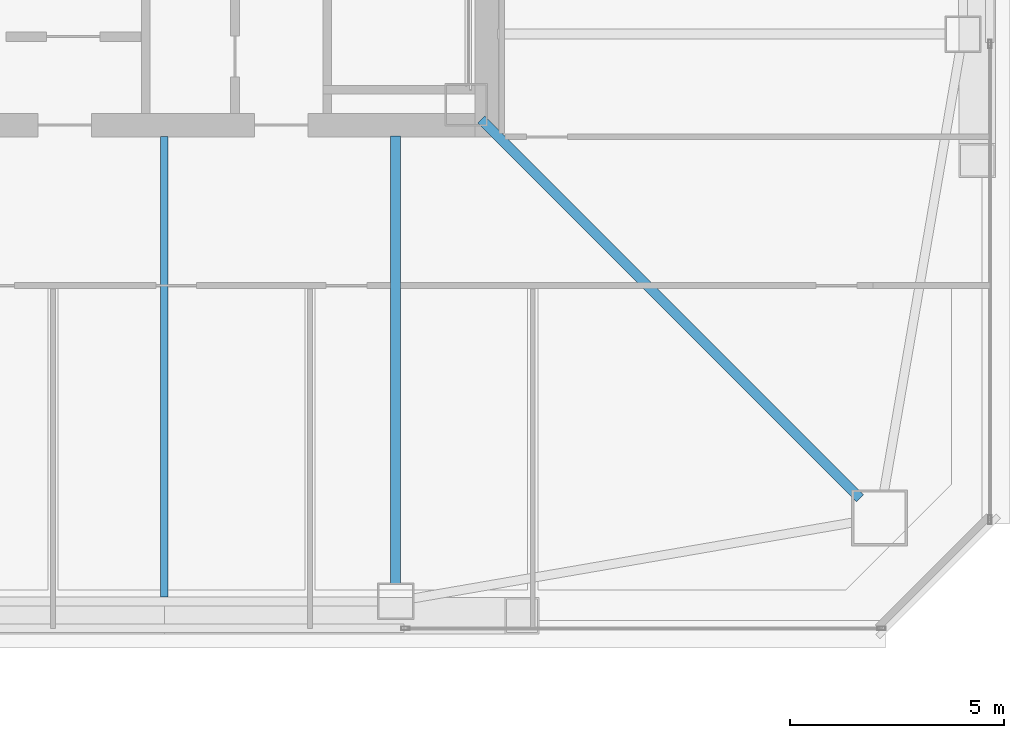
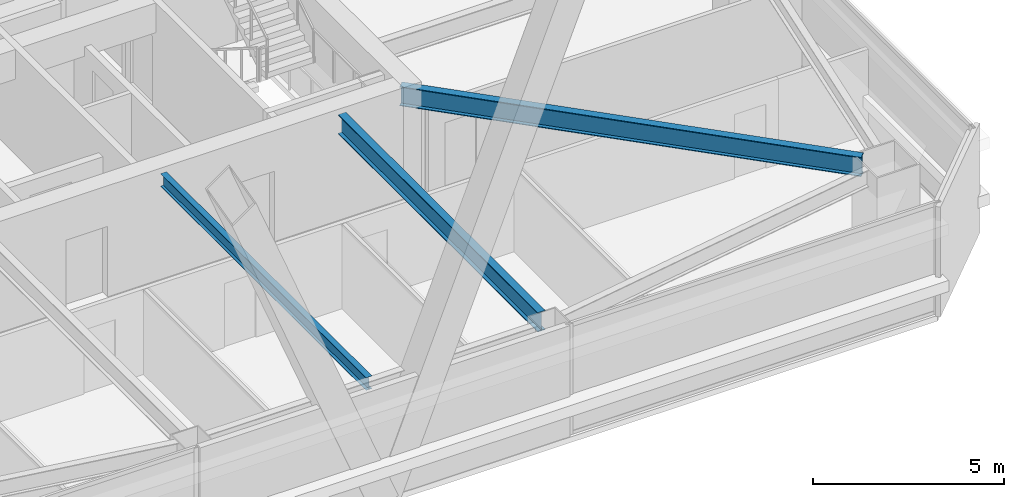
# One storey, part 6 of 50: 3 beams.
"""IFC4 building model written with IfcOpenShell, lengths in metres."""

import ifcopenshell
import ifcopenshell.guid

model = None  # the IFC model being written
_history = None  # IfcOwnerHistory: only IFC2X3 demands one
_inside = {}  # id of a spatial element -> (the spatial element, [elements in it])
_under = {}  # id of a project, library or spatial element -> (it, [spatial elements below it])
_declared = {}  # id of a project -> (the project, [libraries it declares])
_typed = {}  # id of a type object -> (the type object, [elements of that type])
_made_of = {}  # id of a material, layer set ... -> (it, [elements and type objects made of it])


def new_model(schema):
    """Start an empty IFC model of exactly this schema.

    Asked for "IFC4X3", IfcOpenShell would pick the latest addendum, in which some entities
    have other attributes; the version numbers below select the first issue.
    IFC2X3 requires an IfcOwnerHistory on every rooted entity: one is made here for all.
    """
    global model, _history
    if schema == "IFC4X3":
        model = ifcopenshell.file(schema_version=(4, 3, 0, 0))
    else:
        model = ifcopenshell.file(schema=schema)
    _inside.clear()
    _under.clear()
    _declared.clear()
    _typed.clear()
    _made_of.clear()
    _history = None
    if model.schema == "IFC2X3":
        org = make("IfcOrganization", Name="unknown")
        user = make(
            "IfcPersonAndOrganization",
            ThePerson=make("IfcPerson", FamilyName="unknown"),
            TheOrganization=org,
        )
        app = make(
            "IfcApplication",
            ApplicationDeveloper=org,
            Version="unknown",
            ApplicationFullName="unknown",
            ApplicationIdentifier="unknown",
        )
        _history = make(
            "IfcOwnerHistory",
            OwningUser=user,
            OwningApplication=app,
            ChangeAction="ADDED",
            CreationDate=0,
        )
    return model


def make(cls, **values):
    """One entity of the class cls with the attributes given. An attribute that is None is left unset."""
    return model.create_entity(
        cls, **{name: value for name, value in values.items() if value is not None}
    )


def rooted(cls, **values):
    """An entity with a GlobalId (a new one), such as an element, a storey or a relation."""
    return make(cls, GlobalId=ifcopenshell.guid.new(), OwnerHistory=_history, **values)


def si_unit(unit_type, name, prefix=None):
    """IfcSIUnit, for example si_unit("LENGTHUNIT", "METRE", prefix="MILLI")."""
    return make("IfcSIUnit", UnitType=unit_type, Prefix=prefix, Name=name)


def assignment(units):
    """IfcUnitAssignment: the units of a project."""
    return None if units is None else make("IfcUnitAssignment", Units=units)


def point(xyz):
    """IfcCartesianPoint."""
    return None if xyz is None else make("IfcCartesianPoint", Coordinates=xyz)


def direction(xyz):
    """IfcDirection."""
    return None if xyz is None else make("IfcDirection", DirectionRatios=xyz)


def frame(location, z_axis=None, x_axis=None):
    """IfcAxis2Placement3D, a coordinate frame: its origin and axes. An axis left out is left unset."""
    return make(
        "IfcAxis2Placement3D",
        Location=point(location),
        Axis=direction(z_axis),
        RefDirection=direction(x_axis),
    )


def frame_2d(location, x_axis=None):
    """IfcAxis2Placement2D, a coordinate frame in the plane: its origin and x axis."""
    return make(
        "IfcAxis2Placement2D", Location=point(location), RefDirection=direction(x_axis)
    )


def origin():
    """The frame at (0, 0, 0) with its axes left unset."""
    return frame((0.0, 0.0, 0.0))


def origin_2d():
    """The frame at (0, 0) in the plane with its x axis left unset."""
    return frame_2d((0.0, 0.0))


def place(relative_to, where):
    """IfcLocalPlacement: puts the frame where relative to a parent placement (None: the world)."""
    return make(
        "IfcLocalPlacement", PlacementRelTo=relative_to, RelativePlacement=where
    )


def context(
    kind, dimensions, precision=None, world=None, true_north=None, identifier=None
):
    """IfcGeometricRepresentationContext, for example the 3D "Model" context."""
    return make(
        "IfcGeometricRepresentationContext",
        ContextIdentifier=identifier,
        ContextType=kind,
        CoordinateSpaceDimension=dimensions,
        Precision=precision,
        WorldCoordinateSystem=world,
        TrueNorth=true_north,
    )


def subcontext(parent, identifier, kind, view, scale=None):
    """IfcGeometricRepresentationSubContext, for example "Body" below "Model"."""
    return make(
        "IfcGeometricRepresentationSubContext",
        ContextIdentifier=identifier,
        ContextType=kind,
        ParentContext=parent,
        TargetScale=scale,
        TargetView=view,
    )


def project(units=None, contexts=None):
    """IfcProject with its units and contexts."""
    return rooted(
        "IfcProject",
        Name="project",
        RepresentationContexts=contexts,
        UnitsInContext=assignment(units),
    )


def spatial(cls, under=None, at=None, **own):
    """A site, building, storey or space (cls), placed at a placement, below another one or the project."""
    s = rooted(cls, ObjectPlacement=at, **own)
    if under is not None:
        _under.setdefault(under.id(), (under, []))[1].append(s)
    return s


def profile(cls, at=None, kind="AREA", **sizes):
    """A parametric profile (cls). Its sizes go by their IFC names, for example OverallWidth=200.0."""
    return make(cls, ProfileType=kind, Position=at, **sizes)


def i_section(**sizes):
    """IfcIShapeProfileDef."""
    return profile("IfcIShapeProfileDef", **sizes)


def extrude(swept, where, along, depth):
    """IfcExtrudedAreaSolid: the profile swept, set in the frame where, extruded along a direction by depth."""
    return make(
        "IfcExtrudedAreaSolid",
        SweptArea=swept,
        Position=where,
        ExtrudedDirection=direction(along),
        Depth=depth,
    )


def shape(context_of_items, identifier, shape_type, items):
    """IfcShapeRepresentation: the items that make up one representation, for example the "Body"."""
    return make(
        "IfcShapeRepresentation",
        ContextOfItems=context_of_items,
        RepresentationIdentifier=identifier,
        RepresentationType=shape_type,
        Items=items,
    )


def material(Name=None, Category=None):
    """IfcMaterial."""
    return make("IfcMaterial", Name=Name, Category=Category)


def material_profile(
    of_material, cross_section, Name=None, Category=None, Priority=None
):
    """IfcMaterialProfile: a cross section and its material."""
    return make(
        "IfcMaterialProfile",
        Name=Name,
        Material=of_material,
        Profile=cross_section,
        Priority=Priority,
        Category=Category,
    )


def profile_set(profiles, Name=None, composite=None):
    """IfcMaterialProfileSet."""
    return make(
        "IfcMaterialProfileSet",
        Name=Name,
        MaterialProfiles=profiles,
        CompositeProfile=composite,
    )


def made_of(thing, what):
    """Note that an element or type object is made of a material, layer set ...; save() writes the relation."""
    if what is not None:
        _made_of.setdefault(what.id(), (what, []))[1].append(thing)
    return thing


def type_object(cls, material=None, **own):
    """A type object (cls), such as IfcWallType, which elements share."""
    return made_of(rooted(cls, **own), material)


def element(
    cls,
    number,
    at=None,
    inside=None,
    cuts=None,
    type_object=None,
    material=None,
    context=None,
    identifier="Body",
    shape_type=None,
    held_by="IfcProductDefinitionShape",
    body=None,
    shapes=None,
    **own,
):
    """One element of the class cls, such as IfcWall. Its Tag is "e" and its number.

    at: its placement. inside: the storey or other place that contains it. cuts: it is an
    opening in that element (IfcRelVoidsElement). A single representation is given by context,
    identifier, shape_type and body (its items); several are given by shapes. held_by: the class
    of the entity that holds the representations. save() writes the other relations.
    """
    e = rooted(cls, Tag="e%d" % number, ObjectPlacement=at, **own)
    if body is not None:
        shapes = [shape(context, identifier, shape_type, body)]
    if shapes is not None:
        e.Representation = make(held_by, Representations=shapes)
    if inside is not None:
        _inside.setdefault(inside.id(), (inside, []))[1].append(e)
    if cuts is not None:
        rooted(
            "IfcRelVoidsElement", RelatingBuildingElement=cuts, RelatedOpeningElement=e
        )
    if type_object is not None:
        _typed.setdefault(type_object.id(), (type_object, []))[1].append(e)
    return made_of(e, material)


def aggregate(whole, parts):
    """IfcRelAggregates: a whole, such as a stair, and the parts it consists of."""
    return rooted("IfcRelAggregates", RelatingObject=whole, RelatedObjects=parts)


def save(model, path):
    """Write the relations noted so far, then the file.

    IfcRelAggregates (storeys below a building ...), IfcRelContainedInSpatialStructure (elements
    in a storey), IfcRelDefinesByType, IfcRelAssociatesMaterial and IfcRelDeclares: one each for
    every whole, place, type object, material and project.
    """
    for whole, parts in _under.values():
        aggregate(whole, parts)
    for where, things in _inside.values():
        rooted(
            "IfcRelContainedInSpatialStructure",
            RelatedElements=things,
            RelatingStructure=where,
        )
    for kind, things in _typed.values():
        rooted("IfcRelDefinesByType", RelatedObjects=things, RelatingType=kind)
    for what, things in _made_of.values():
        rooted("IfcRelAssociatesMaterial", RelatedObjects=things, RelatingMaterial=what)
    for by, libraries in _declared.values():
        rooted("IfcRelDeclares", RelatingContext=by, RelatedDefinitions=libraries)
    model.write(path)


model = new_model("IFC4")

# Units and contexts
model_context = context("Model", 3, precision=1e-05, world=origin(), true_north=direction((0.0, 1.0)))
body_context = subcontext(model_context, "Body", "Model", "MODEL_VIEW")
ifc_project = project(units=[si_unit("LENGTHUNIT", "METRE"), si_unit("AREAUNIT", "SQUARE_METRE"), si_unit("VOLUMEUNIT", "CUBIC_METRE"), si_unit("PLANEANGLEUNIT", "RADIAN"), si_unit("MASSUNIT", "GRAM", prefix="KILO")], contexts=[model_context])

# Site, building, storey
site_placement = place(None, origin())
site = spatial("IfcSite", under=ifc_project, at=site_placement, CompositionType="ELEMENT")
building_placement = place(site_placement, origin())
building = spatial("IfcBuilding", under=site, at=building_placement, Name="Tashvorn Skyway Center", CompositionType="ELEMENT")
storey_placement = place(building_placement, frame((0.0, 0.0, 114.39990234375)))
storey = spatial("IfcBuildingStorey", under=building, at=storey_placement, Name="L30", CompositionType="ELEMENT", Elevation=114.39990234375)

# Beams
ifc_material = material(Name="Steel ASTM A992 Grade 50", Category="steel")
ifc_material_profile_1 = material_profile(ifc_material, i_section(OverallWidth=0.22998046875, OverallDepth=0.616943359375, WebThickness=0.01318359375, FlangeThickness=0.022216796875, at=origin_2d()), Name="W24X94")
ifc_profile_set_1 = profile_set([ifc_material_profile_1], Name="Steel ASTM A992 Grade 50")
beam_type_1 = type_object("IfcBeamType", Name="BM-BEAM-W24X94", PredefinedType="BEAM", material=ifc_profile_set_1)
beam_1_placement = place(storey_placement, frame((58.243896484375, 15.756103515625, 3.0615234375), z_axis=(-0.707106781187, 0.707106781187, 0.0), x_axis=(-0.707106781187, -0.707106781187, 0.0)))
element("IfcBeam", 1, at=beam_1_placement, inside=storey, type_object=beam_type_1, Name="Tower 1 L30 Primary Floor Girder MC-SE", PredefinedType="BEAM", context=body_context, shape_type="SweptSolid", body=[
    extrude(i_section(OverallWidth=0.22998046875, OverallDepth=0.616943359375, WebThickness=0.01318359375, FlangeThickness=0.022216796875, at=origin_2d()), origin(), (0.0, 0.0, 1.0), 12.50732421875),
])
beam_2_placement = place(storey_placement, frame((47.39990234375, 13.77001953125, 3.0615234375), z_axis=(0.0, 1.0, 0.0), x_axis=(-1.0, 0.0, 0.0)))
element("IfcBeam", 2, at=beam_2_placement, inside=storey, type_object=beam_type_1, Name="Tower 1 L30 Primary Floor Girder FC-S2", PredefinedType="BEAM", context=body_context, shape_type="SweptSolid", body=[
    extrude(i_section(OverallWidth=0.22998046875, OverallDepth=0.616943359375, WebThickness=0.01318359375, FlangeThickness=0.022216796875, at=origin_2d()), origin(), (0.0, 0.0, 1.0), 10.449951171875),
])
ifc_material_profile_2 = material_profile(ifc_material, i_section(OverallWidth=0.177978515625, OverallDepth=0.406005859375, WebThickness=0.0078125, FlangeThickness=0.0126953125, at=origin_2d()), Name="W16X40")
ifc_profile_set_2 = profile_set([ifc_material_profile_2], Name="Steel ASTM A992 Grade 50")
beam_type_2 = type_object("IfcBeamType", Name="BM-JOIST-W16X40", PredefinedType="JOIST", material=ifc_profile_set_2)
beam_3_placement = place(storey_placement, frame((42.0, 24.2099609375, 3.1669921875), z_axis=(0.0, -1.0, 0.0), x_axis=(1.0, 0.0, 0.0)))
element("IfcBeam", 3, at=beam_3_placement, inside=storey, type_object=beam_type_2, Name="Tower 1 L30 Secondary Composite Joist JS", PredefinedType="JOIST", context=body_context, shape_type="SweptSolid", body=[
    extrude(i_section(OverallWidth=0.177978515625, OverallDepth=0.406005859375, WebThickness=0.0078125, FlangeThickness=0.0126953125, at=origin_2d()), origin(), (0.0, 0.0, 1.0), 10.762451171875),
])

save(model, "model.ifc")
